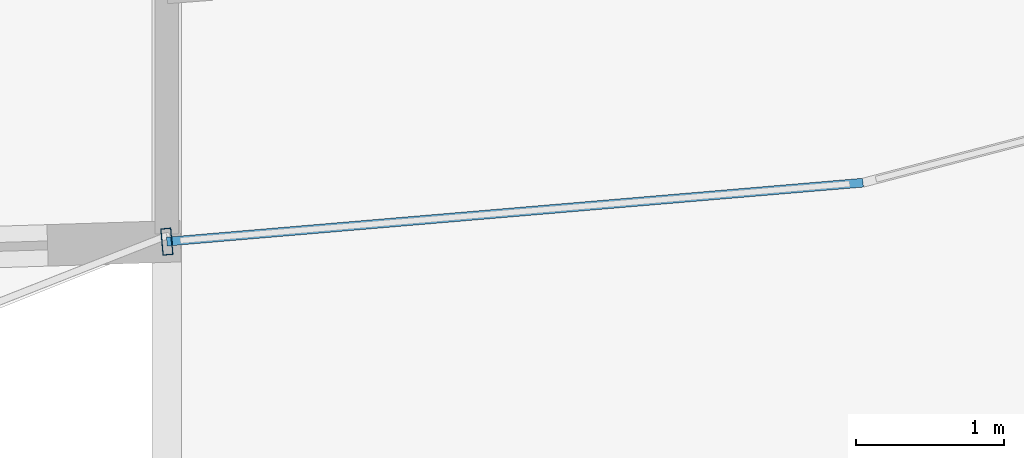
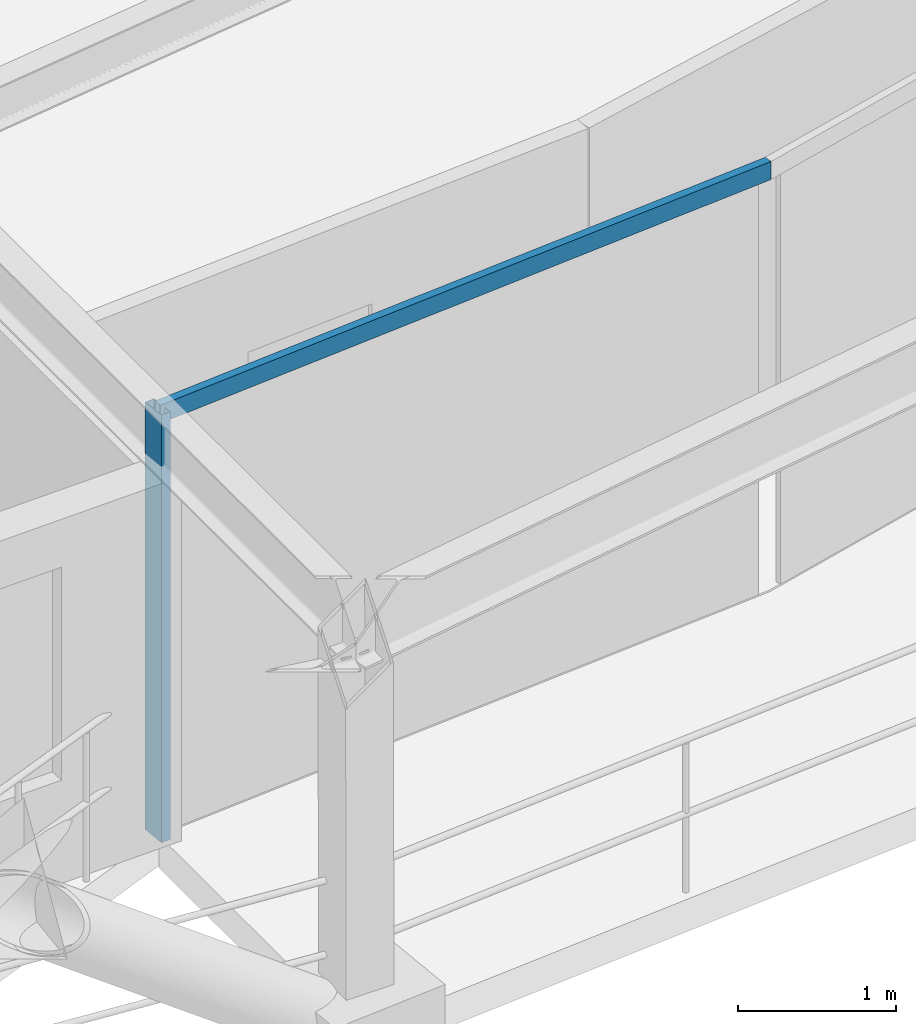
# One storey, part 2 of 17: 2 members, 1 element without a shape of its own.
"""IFC4 building model written with IfcOpenShell, lengths in metres."""

from ifc_helpers import new_model, si_unit, direction, frame, origin, origin_2d, place, context, subcontext, project, spatial, hollow_rectangle, extrude, material, layer, layer_set, material_profile, profile_set, type_object, element, aggregate, save


model = new_model("IFC4")

# Units and contexts
model_context = context("Model", 3, precision=1e-05, world=origin(), true_north=direction((0.0, 1.0)))
body_context = subcontext(model_context, "Body", "Model", "MODEL_VIEW")
ifc_project = project(units=[si_unit("LENGTHUNIT", "METRE"), si_unit("AREAUNIT", "SQUARE_METRE"), si_unit("VOLUMEUNIT", "CUBIC_METRE"), si_unit("PLANEANGLEUNIT", "RADIAN"), si_unit("MASSUNIT", "GRAM", prefix="KILO")], contexts=[model_context])

# Site, building, storey
site_placement = place(None, origin())
site = spatial("IfcSite", under=ifc_project, at=site_placement, CompositionType="ELEMENT")
building_placement = place(site_placement, origin())
building = spatial("IfcBuilding", under=site, at=building_placement, Name="Veldorina Hangang Commons", CompositionType="ELEMENT")
storey_placement = place(building_placement, frame((0.0, 0.0, 196.39990234375)))
storey = spatial("IfcBuildingStorey", under=building, at=storey_placement, Name="L51", CompositionType="ELEMENT", Elevation=196.39990234375)

# Curtain wall, members
ifc_material_1 = material(Name="Glass Low-E Triple IGU", Category="glass")
ifc_layer = layer(ifc_material_1, 0.179931640625)
ifc_layer_set = layer_set([ifc_layer], Name="Glass Low-E Triple IGU")
curtain_wall_type = type_object("IfcCurtainWallType", Name="CW-SYS-Z2", PredefinedType="NOTDEFINED", material=ifc_layer_set)
curtain_wall_placement = place(storey_placement, origin())
curtain_wall = element("IfcCurtainWall", 1, at=curtain_wall_placement, inside=storey, type_object=curtain_wall_type, Name="L51 unitised curtain wall CW-L51-R1", PredefinedType="NOTDEFINED")
ifc_material_2 = material(Name="Aluminium Anodized AA6063-T6", Category="aluminium")
ifc_material_profile_1 = material_profile(ifc_material_2, hollow_rectangle(XDim=0.070068359375, YDim=0.179931640625, WallThickness=0.00390625, at=origin_2d()), Name="ALU-RHS-180x70x4")
ifc_profile_set_1 = profile_set([ifc_material_profile_1], Name="Aluminium Anodized AA6063-T6")
member_type_1 = type_object("IfcMemberType", Name="CW-MUL-180", PredefinedType="MULLION", material=ifc_profile_set_1)
member_1_placement = place(storey_placement, frame((32.0, 3.292724609375, 0.0), z_axis=(0.0, 0.0, 1.0), x_axis=(0.996435670704, 0.084356115068, 0.0)))
member_1 = element("IfcMember", 2, at=member_1_placement, type_object=member_type_1, Name="CW-L51-R1 vertical mullion 1", PredefinedType="MULLION", context=body_context, shape_type="SweptSolid", body=[
    extrude(hollow_rectangle(XDim=0.070068359375, YDim=0.179931640625, WallThickness=0.00390625, at=origin_2d()), origin(), (0.0, 0.0, 1.0), 3.31005859375),
])
ifc_material_profile_2 = material_profile(ifc_material_2, hollow_rectangle(XDim=0.06005859375, YDim=0.139892578125, WallThickness=0.00341796875, at=origin_2d()), Name="ALU-RHS-140x60x3.5")
ifc_profile_set_2 = profile_set([ifc_material_profile_2], Name="Aluminium Anodized AA6063-T6")
member_type_2 = type_object("IfcMemberType", Name="CW-TRN-140", PredefinedType="USERDEFINED", material=ifc_profile_set_2)
member_2_placement = place(storey_placement, frame((32.0, 3.292724609375, 3.27001953125), z_axis=(0.996434944958, 0.08436468732, 0.0), x_axis=(-0.08436468732, 0.996434944958, 0.0)))
member_2 = element("IfcMember", 3, at=member_2_placement, type_object=member_type_2, Name="CW-L51-R1 facet 1 transom 1", ObjectType="TRANSOM", PredefinedType="USERDEFINED", context=body_context, shape_type="SweptSolid", body=[
    extrude(hollow_rectangle(XDim=0.06005859375, YDim=0.139892578125, WallThickness=0.00341796875, at=origin_2d()), origin(), (0.0, 0.0, 1.0), 4.717041015625),
])
aggregate(curtain_wall, [member_1, member_2])

save(model, "model.ifc")
